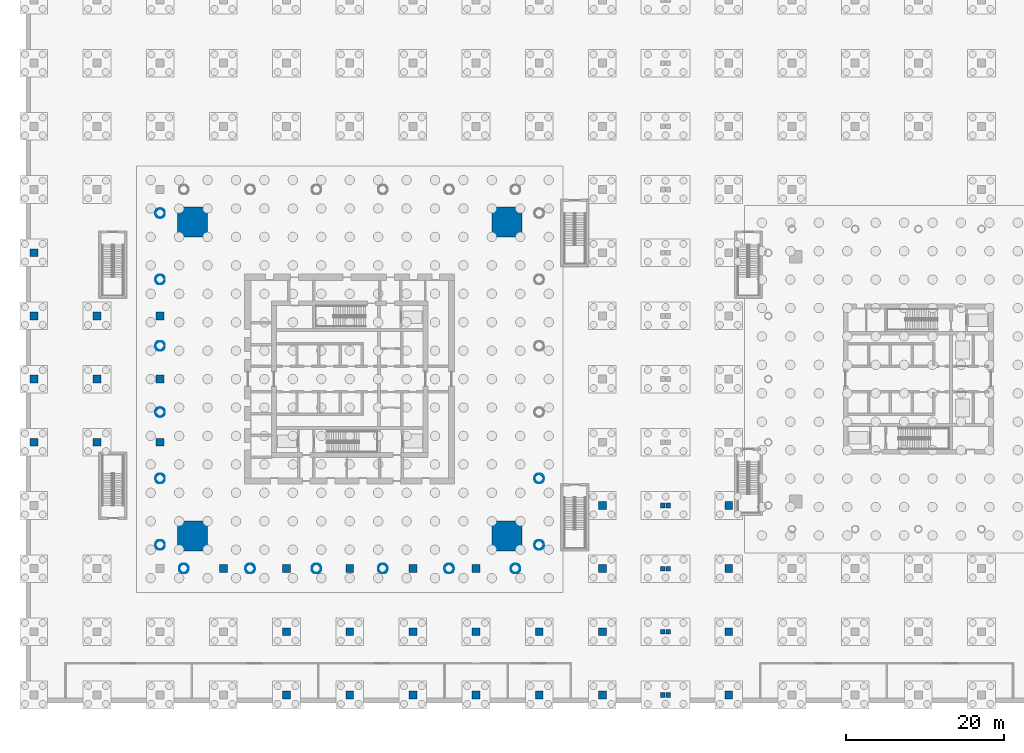
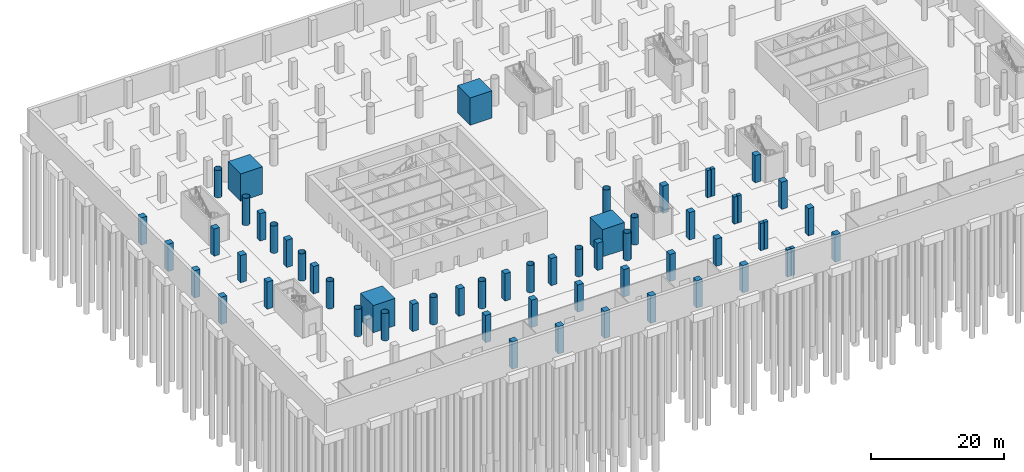
# One storey, part 5 of 24: 59 columns.
"""IFC4 building model written with IfcOpenShell, lengths in metres."""

from ifc_helpers import new_model, si_unit, direction, frame, origin, origin_2d, place, context, subcontext, project, spatial, rectangle, hollow_circle, extrude, material, material_profile, profile_set, type_object, element, save


model = new_model("IFC4")

# Units and contexts
model_context = context("Model", 3, precision=1e-05, world=origin(), true_north=direction((0.0, 1.0)))
body_context = subcontext(model_context, "Body", "Model", "MODEL_VIEW")
ifc_project = project(units=[si_unit("LENGTHUNIT", "METRE"), si_unit("AREAUNIT", "SQUARE_METRE"), si_unit("VOLUMEUNIT", "CUBIC_METRE"), si_unit("PLANEANGLEUNIT", "RADIAN"), si_unit("MASSUNIT", "GRAM", prefix="KILO")], contexts=[model_context])

# Site, building, storey
site_placement = place(None, origin())
site = spatial("IfcSite", under=ifc_project, at=site_placement, CompositionType="ELEMENT")
building_placement = place(site_placement, origin())
building = spatial("IfcBuilding", under=site, at=building_placement, Name="Ostroluk Exchange", CompositionType="ELEMENT")
storey_placement = place(building_placement, frame((0.0, 0.0, -10.0)))
storey = spatial("IfcBuildingStorey", under=building, at=storey_placement, Name="B2", CompositionType="ELEMENT", Elevation=-10.0)

# Columns
ifc_material_1 = material(Name="Concrete C50/60", Category="concrete")
ifc_material_profile_1 = material_profile(ifc_material_1, rectangle(XDim=3.800048828125, YDim=3.800048828125, at=origin_2d()), Name="RC 3800x3800")
ifc_profile_set_1 = profile_set([ifc_material_profile_1], Name="Concrete C50/60")
column_type_1 = type_object("IfcColumnType", Name="Mega column RC 3800x3800", PredefinedType="COLUMN", material=ifc_profile_set_1)
for number, where, z_axis, x_axis, name in (
    (1, (64.89990234375, 65.89990234375, 0.0), (0.0, 0.0, 1.0), (1.0, 0.0, 0.0), "T1 mega column NE"),
    (2, (25.10009765625, 65.89990234375, 0.0), (0.0, 0.0, 1.0), (1.0, 0.0, 0.0), "T1 mega column NW"),
    (3, (25.10009765625, 26.10009765625, 0.0), (0.0, 0.0, 1.0), (1.0, 0.0, 0.0), "T1 mega column SW"),
    (4, (64.89990234375, 26.10009765625, 0.0), (0.0, 0.0, 1.0), (1.0, 0.0, 0.0), "T1 mega column SE"),
):
    element("IfcColumn", number, at=place(storey_placement, frame(where, z_axis=z_axis, x_axis=x_axis)), inside=storey, type_object=column_type_1, Name=name, PredefinedType="COLUMN", context=body_context, shape_type="SweptSolid", body=[
        extrude(rectangle(XDim=3.800048828125, YDim=3.800048828125, at=origin_2d()), origin(), (0.0, 0.0, 1.0), 5.0),
    ])
ifc_material_2 = material(Name="Steel S460", Category="steel")
ifc_material_profile_2 = material_profile(ifc_material_2, hollow_circle(Radius=0.609619140625, WallThickness=0.0400390625, at=origin_2d()), Name="CHS 1219x40")
ifc_profile_set_2 = profile_set([ifc_material_profile_2], Name="Steel S460")
column_type_2 = type_object("IfcColumnType", Name="Perimeter column CHS 1219x40", PredefinedType="COLUMN", material=ifc_profile_set_2)
for number, where, z_axis, x_axis, name in (
    (5, (69.0, 25.0, 0.0), (0.0, 0.0, 1.0), (1.0, 0.0, 0.0), "T1 east face column E0"),
    (6, (69.0, 33.39990234375, 0.0), (0.0, 0.0, 1.0), (1.0, 0.0, 0.0), "T1 east face column I1"),
    (7, (21.0, 67.0, 0.0), (0.0, 0.0, 1.0), (1.0, 0.0, 0.0), "T1 west face column E0"),
    (8, (21.0, 25.0, 0.0), (0.0, 0.0, 1.0), (1.0, 0.0, 0.0), "T1 west face column E1"),
    (9, (21.0, 58.60009765625, 0.0), (0.0, 0.0, 1.0), (1.0, 0.0, 0.0), "T1 west face column I1"),
    (10, (21.0, 50.199951171875, 0.0), (0.0, 0.0, 1.0), (1.0, 0.0, 0.0), "T1 west face column I2"),
    (11, (21.0, 41.800048828125, 0.0), (0.0, 0.0, 1.0), (1.0, 0.0, 0.0), "T1 west face column I3"),
    (12, (21.0, 33.39990234375, 0.0), (0.0, 0.0, 1.0), (1.0, 0.0, 0.0), "T1 west face column I4"),
    (13, (24.0, 22.0, 0.0), (0.0, 0.0, 1.0), (1.0, 0.0, 0.0), "T1 south face column E0"),
    (14, (66.0, 22.0, 0.0), (0.0, 0.0, 1.0), (1.0, 0.0, 0.0), "T1 south face column E1"),
    (15, (32.39990234375, 22.0, 0.0), (0.0, 0.0, 1.0), (1.0, 0.0, 0.0), "T1 south face column I1"),
    (16, (40.800048828125, 22.0, 0.0), (0.0, 0.0, 1.0), (1.0, 0.0, 0.0), "T1 south face column I2"),
    (17, (49.199951171875, 22.0, 0.0), (0.0, 0.0, 1.0), (1.0, 0.0, 0.0), "T1 south face column I3"),
    (18, (57.60009765625, 22.0, 0.0), (0.0, 0.0, 1.0), (1.0, 0.0, 0.0), "T1 south face column I4"),
):
    element("IfcColumn", number, at=place(storey_placement, frame(where, z_axis=z_axis, x_axis=x_axis)), inside=storey, type_object=column_type_2, Name=name, PredefinedType="COLUMN", context=body_context, shape_type="SweptSolid", body=[
        extrude(hollow_circle(Radius=0.609619140625, WallThickness=0.0400390625, at=origin_2d()), origin(), (0.0, 0.0, 1.0), 5.0),
    ])
ifc_material_3 = material(Name="Concrete C50/60", Category="concrete")
ifc_material_profile_3 = material_profile(ifc_material_3, rectangle(XDim=1.0, YDim=1.0, at=origin_2d()), Name="RC 1000x1000")
ifc_profile_set_3 = profile_set([ifc_material_profile_3], Name="Concrete C50/60")
column_type_3 = type_object("IfcColumnType", Name="Podium column RC 1000x1000", PredefinedType="COLUMN", material=ifc_profile_set_3)
for number, where, z_axis, x_axis, name in (
    (19, (5.0, 38.0, 0.0), (0.0, 0.0, 1.0), (1.0, 0.0, 0.0), "Podium column 5/38"),
    (20, (5.0, 46.0, 0.0), (0.0, 0.0, 1.0), (1.0, 0.0, 0.0), "Podium column 5/46"),
    (21, (5.0, 54.0, 0.0), (0.0, 0.0, 1.0), (1.0, 0.0, 0.0), "Podium column 5/54"),
    (22, (5.0, 62.0, 0.0), (0.0, 0.0, 1.0), (1.0, 0.0, 0.0), "Podium column 5/62"),
    (23, (13.0, 38.0, 0.0), (0.0, 0.0, 1.0), (1.0, 0.0, 0.0), "Podium column 13/38"),
    (24, (13.0, 46.0, 0.0), (0.0, 0.0, 1.0), (1.0, 0.0, 0.0), "Podium column 13/46"),
    (25, (13.0, 54.0, 0.0), (0.0, 0.0, 1.0), (1.0, 0.0, 0.0), "Podium column 13/54"),
    (26, (37.0, 6.0, 0.0), (0.0, 0.0, 1.0), (1.0, 0.0, 0.0), "Podium column 37/6"),
    (27, (37.0, 14.0, 0.0), (0.0, 0.0, 1.0), (1.0, 0.0, 0.0), "Podium column 37/14"),
    (28, (45.0, 6.0, 0.0), (0.0, 0.0, 1.0), (1.0, 0.0, 0.0), "Podium column 45/6"),
    (29, (45.0, 14.0, 0.0), (0.0, 0.0, 1.0), (1.0, 0.0, 0.0), "Podium column 45/14"),
    (30, (53.0, 6.0, 0.0), (0.0, 0.0, 1.0), (1.0, 0.0, 0.0), "Podium column 53/6"),
    (31, (53.0, 14.0, 0.0), (0.0, 0.0, 1.0), (1.0, 0.0, 0.0), "Podium column 53/14"),
    (32, (61.0, 6.0, 0.0), (0.0, 0.0, 1.0), (1.0, 0.0, 0.0), "Podium column 61/6"),
    (33, (61.0, 14.0, 0.0), (0.0, 0.0, 1.0), (1.0, 0.0, 0.0), "Podium column 61/14"),
    (34, (69.0, 6.0, 0.0), (0.0, 0.0, 1.0), (1.0, 0.0, 0.0), "Podium column 69/6"),
    (35, (69.0, 14.0, 0.0), (0.0, 0.0, 1.0), (1.0, 0.0, 0.0), "Podium column 69/14"),
    (36, (77.0, 6.0, 0.0), (0.0, 0.0, 1.0), (1.0, 0.0, 0.0), "Podium column 77/6"),
    (37, (77.0, 14.0, 0.0), (0.0, 0.0, 1.0), (1.0, 0.0, 0.0), "Podium column 77/14"),
    (38, (77.0, 22.0, 0.0), (0.0, 0.0, 1.0), (1.0, 0.0, 0.0), "Podium column 77/22"),
    (39, (77.0, 30.0, 0.0), (0.0, 0.0, 1.0), (1.0, 0.0, 0.0), "Podium column 77/30"),
    (40, (93.0, 6.0, 0.0), (0.0, 0.0, 1.0), (1.0, 0.0, 0.0), "Podium column 93/6"),
    (41, (93.0, 14.0, 0.0), (0.0, 0.0, 1.0), (1.0, 0.0, 0.0), "Podium column 93/14"),
    (42, (93.0, 22.0, 0.0), (0.0, 0.0, 1.0), (1.0, 0.0, 0.0), "Podium column 93/22"),
    (43, (93.0, 30.0, 0.0), (0.0, 0.0, 1.0), (1.0, 0.0, 0.0), "Podium column 93/30"),
    (44, (29.0, 22.0, 0.0), (0.0, 0.0, 1.0), (1.0, 0.0, 0.0), "Podium column 29/22"),
    (45, (37.0, 22.0, 0.0), (0.0, 0.0, 1.0), (1.0, 0.0, 0.0), "Podium column 37/22"),
    (46, (45.0, 22.0, 0.0), (0.0, 0.0, 1.0), (1.0, 0.0, 0.0), "Podium column 45/22"),
    (47, (53.0, 22.0, 0.0), (0.0, 0.0, 1.0), (1.0, 0.0, 0.0), "Podium column 53/22"),
    (48, (61.0, 22.0, 0.0), (0.0, 0.0, 1.0), (1.0, 0.0, 0.0), "Podium column 61/22"),
    (49, (21.0, 38.0, 0.0), (0.0, 0.0, 1.0), (1.0, 0.0, 0.0), "Podium column 21/38"),
    (50, (21.0, 46.0, 0.0), (0.0, 0.0, 1.0), (1.0, 0.0, 0.0), "Podium column 21/46"),
    (51, (21.0, 54.0, 0.0), (0.0, 0.0, 1.0), (1.0, 0.0, 0.0), "Podium column 21/54"),
):
    element("IfcColumn", number, at=place(storey_placement, frame(where, z_axis=z_axis, x_axis=x_axis)), inside=storey, type_object=column_type_3, Name=name, PredefinedType="COLUMN", context=body_context, shape_type="SweptSolid", body=[
        extrude(rectangle(XDim=1.0, YDim=1.0, at=origin_2d()), origin(), (0.0, 0.0, 1.0), 5.0),
    ])
ifc_material_4 = material(Name="Concrete C50/60", Category="concrete")
ifc_material_profile_4 = material_profile(ifc_material_4, rectangle(XDim=0.60009765625, YDim=0.60009765625, at=origin_2d()), Name="RC 600x600")
ifc_profile_set_4 = profile_set([ifc_material_profile_4], Name="Concrete C50/60")
column_type_4 = type_object("IfcColumnType", Name="Podium column RC 600x600", PredefinedType="COLUMN", material=ifc_profile_set_4)
for number, where, z_axis, x_axis, name in (
    (52, (84.64990234375, 6.0, 0.0), (0.0, 0.0, 1.0), (1.0, 0.0, 0.0), "Podium column 85W/6"),
    (53, (85.35009765625, 6.0, 0.0), (0.0, 0.0, 1.0), (1.0, 0.0, 0.0), "Podium column 85E/6"),
    (54, (84.64990234375, 14.0, 0.0), (0.0, 0.0, 1.0), (1.0, 0.0, 0.0), "Podium column 85W/14"),
    (55, (85.35009765625, 14.0, 0.0), (0.0, 0.0, 1.0), (1.0, 0.0, 0.0), "Podium column 85E/14"),
    (56, (84.64990234375, 22.0, 0.0), (0.0, 0.0, 1.0), (1.0, 0.0, 0.0), "Podium column 85W/22"),
    (57, (85.35009765625, 22.0, 0.0), (0.0, 0.0, 1.0), (1.0, 0.0, 0.0), "Podium column 85E/22"),
    (58, (84.64990234375, 30.0, 0.0), (0.0, 0.0, 1.0), (1.0, 0.0, 0.0), "Podium column 85W/30"),
    (59, (85.35009765625, 30.0, 0.0), (0.0, 0.0, 1.0), (1.0, 0.0, 0.0), "Podium column 85E/30"),
):
    element("IfcColumn", number, at=place(storey_placement, frame(where, z_axis=z_axis, x_axis=x_axis)), inside=storey, type_object=column_type_4, Name=name, PredefinedType="COLUMN", context=body_context, shape_type="SweptSolid", body=[
        extrude(rectangle(XDim=0.60009765625, YDim=0.60009765625, at=origin_2d()), origin(), (0.0, 0.0, 1.0), 5.0),
    ])

save(model, "model.ifc")
